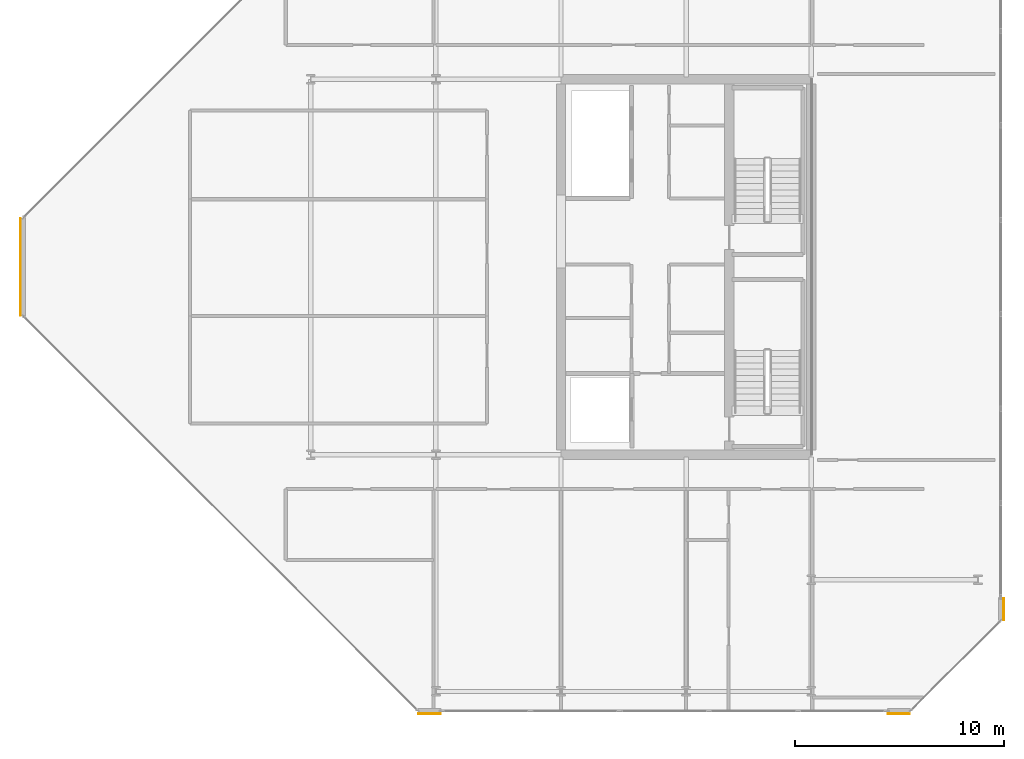
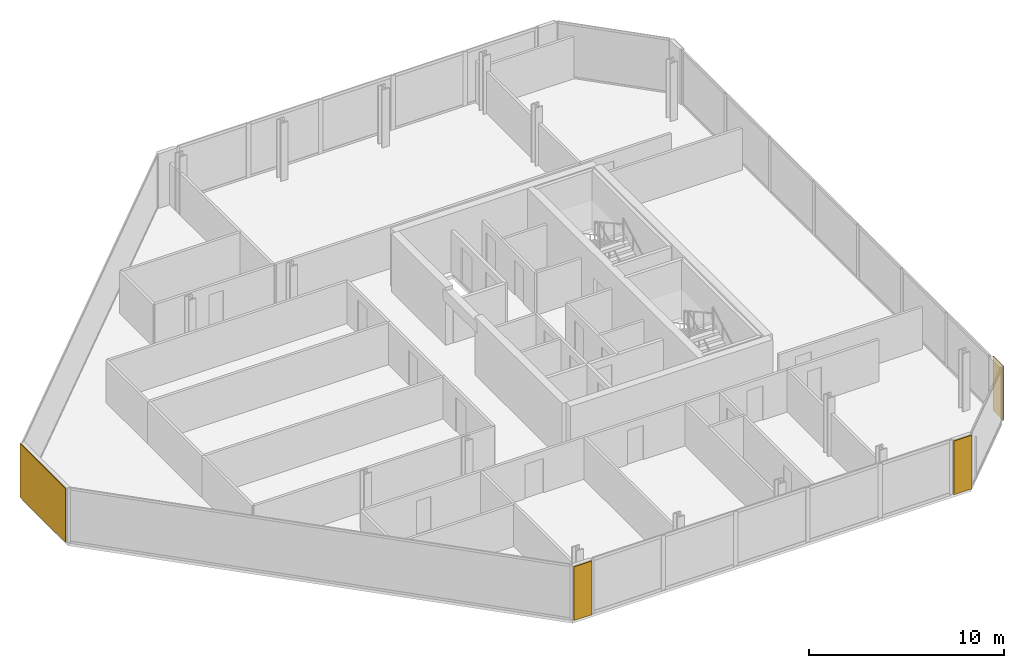
# One storey, part 16 of 17: 4 coverings.
"""IFC4 building model written with IfcOpenShell, lengths in metres."""

from ifc_helpers import new_model, si_unit, direction, frame, origin, origin_2d, place, context, subcontext, project, spatial, rectangle, extrude, material, layer, layer_set, type_object, element, save


model = new_model("IFC4")

# Units and contexts
model_context = context("Model", 3, precision=1e-05, world=origin(), true_north=direction((0.0, 1.0)))
body_context = subcontext(model_context, "Body", "Model", "MODEL_VIEW")
ifc_project = project(units=[si_unit("LENGTHUNIT", "METRE"), si_unit("AREAUNIT", "SQUARE_METRE"), si_unit("VOLUMEUNIT", "CUBIC_METRE"), si_unit("PLANEANGLEUNIT", "RADIAN"), si_unit("MASSUNIT", "GRAM", prefix="KILO")], contexts=[model_context])

# Site, building, storey
site_placement = place(None, origin())
site = spatial("IfcSite", under=ifc_project, at=site_placement, CompositionType="ELEMENT")
building_placement = place(site_placement, origin())
building = spatial("IfcBuilding", under=site, at=building_placement, Name="Tanjung Sevakor Pilgrim Tower", CompositionType="ELEMENT")
storey_placement = place(building_placement, frame((0.0, 0.0, 267.9599609375)))
storey = spatial("IfcBuildingStorey", under=building, at=storey_placement, Name="L75", CompositionType="ELEMENT", Elevation=267.9599609375)

# Coverings
ifc_material = material(Name="Reconstructed Limestone Cladding", Category="masonry")
ifc_layer = layer(ifc_material, 0.044921875)
ifc_layer_set = layer_set([ifc_layer], Name="COV-CLAD-LIMESTONE")
covering_type = type_object("IfcCoveringType", Name="COV-CLAD-LIMESTONE", PredefinedType="CLADDING", material=ifc_layer_set)
for number, where, z_axis, x_axis, name in (
    (1, (71.695556640625, 12.177490234375, 0.02001953125), (0.0, 0.0, 1.0), (1.0, 0.0, 0.0), "L75 Warm Limestone Wall Cladding EW-CRN1-L75-EAST-0-1"),
    (2, (94.204345703125, 12.177490234375, 0.02001953125), (0.0, 0.0, 1.0), (1.0, 0.0, 0.0), "L75 Warm Limestone Wall Cladding EW-CRN2-L75-EAST-0-1"),
    (3, (99.222412109375, 17.195556640625, 0.02001953125), (0.0, 0.0, 1.0), (0.0, 1.0, 0.0), "L75 Warm Limestone Wall Cladding EW-CRN1-L75-EAST-2-1"),
):
    element("IfcCovering", number, at=place(storey_placement, frame(where, z_axis=z_axis, x_axis=x_axis)), inside=storey, type_object=covering_type, Name=name, PredefinedType="CLADDING", context=body_context, shape_type="SweptSolid", body=[
        extrude(rectangle(XDim=1.06005859375, YDim=0.044921875, at=origin_2d()), origin(), (0.0, 0.0, 1.0), 3.3701171875),
    ])
covering_placement = place(storey_placement, frame((52.077392578125, 33.60009765625, 0.02001953125), z_axis=(0.0, 0.0, 1.0), x_axis=(0.0, -1.0, 0.0)))
element("IfcCovering", 4, at=covering_placement, inside=storey, type_object=covering_type, Name="L75 Warm Limestone Wall Cladding EW-L75-EAST-7", PredefinedType="CLADDING", context=body_context, shape_type="SweptSolid", body=[
    extrude(rectangle(XDim=4.668701171875, YDim=0.044921875, at=origin_2d()), origin(), (0.0, 0.0, 1.0), 3.3701171875),
])

save(model, "model.ifc")
